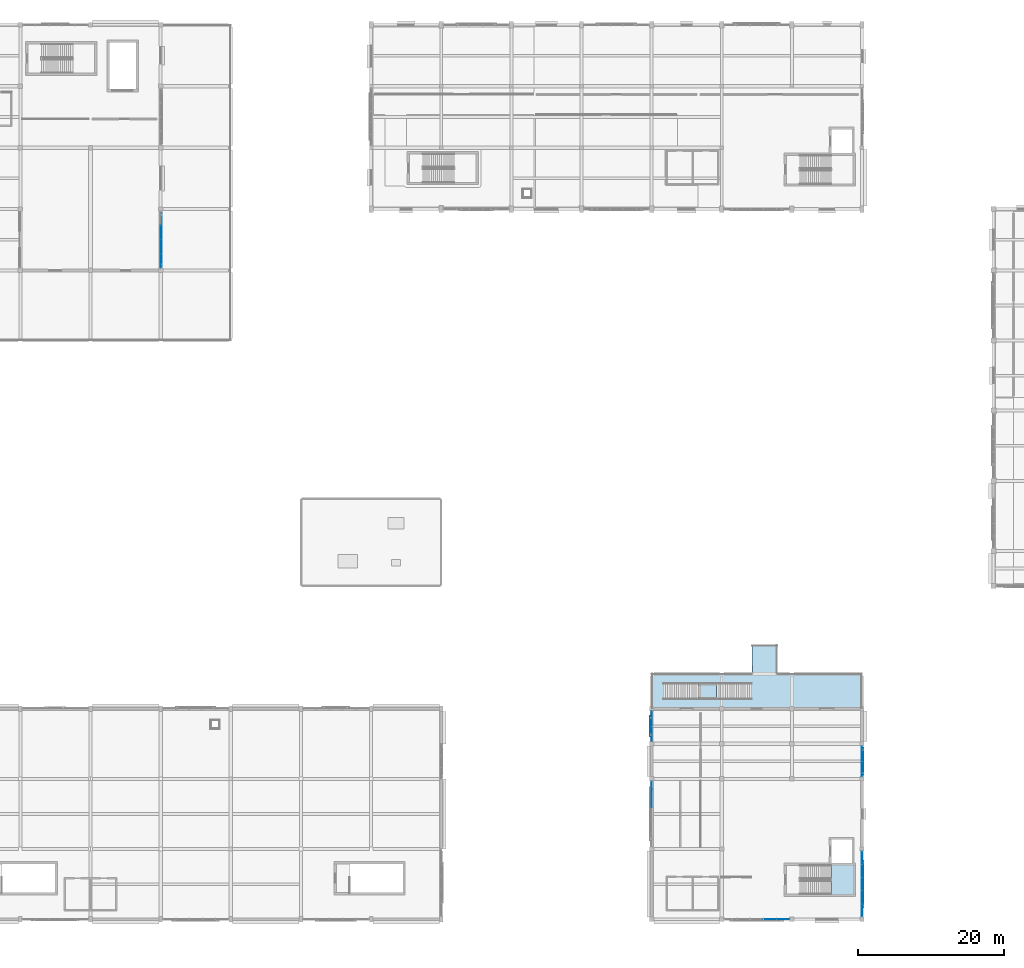
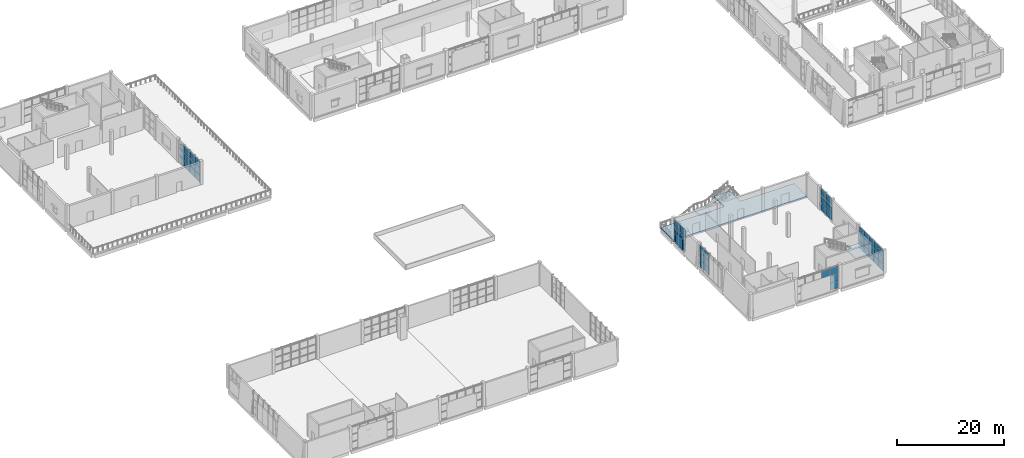
# One storey, part 37 of 72: 50 plates, 3 slabs, 8 elements without a shape of their own.
"""IFC4 building model written with IfcOpenShell, lengths in metres."""

from ifc_helpers import new_model, si_unit, direction, frame, origin, origin_2d, place, context, subcontext, project, spatial, polyline, rectangle, outline, extrude, material, layer, layer_set, type_object, element, aggregate, save


model = new_model("IFC4")

# Units and contexts
model_context = context("Model", 3, precision=1e-05, world=origin(), true_north=direction((0.0, 1.0)))
body_context = subcontext(model_context, "Body", "Model", "MODEL_VIEW")
ifc_project = project(units=[si_unit("LENGTHUNIT", "METRE"), si_unit("AREAUNIT", "SQUARE_METRE"), si_unit("VOLUMEUNIT", "CUBIC_METRE"), si_unit("PLANEANGLEUNIT", "RADIAN"), si_unit("MASSUNIT", "GRAM", prefix="KILO")], contexts=[model_context])

# Site, building, storey
site_placement = place(None, origin())
site = spatial("IfcSite", under=ifc_project, at=site_placement, CompositionType="ELEMENT")
building_placement = place(site_placement, origin())
building = spatial("IfcBuilding", under=site, at=building_placement, Name="Shalvenor Court Art Gallery", CompositionType="ELEMENT")
storey_placement = place(building_placement, frame((0.0, 0.0, 11.39990234375)))
storey = spatial("IfcBuildingStorey", under=building, at=storey_placement, Name="L02", CompositionType="ELEMENT", Elevation=11.39990234375)

# Curtain wall, plates
ifc_material_1 = material(Name="Anodised aluminium and low-iron glass curtain wall", Category="aluminium")
curtain_wall_type_1 = type_object("IfcCurtainWallType", Name="CW-4x3-78-51-611", PredefinedType="USERDEFINED", material=ifc_material_1)
curtain_wall_1_placement = place(storey_placement, origin())
curtain_wall_1 = element("IfcCurtainWall", 1, at=curtain_wall_1_placement, inside=storey, type_object=curtain_wall_type_1, Name="L02 V5 Curtain Wall CW-L02-183", ObjectType="CURTAIN WALL", PredefinedType="USERDEFINED")
ifc_material_2 = material(Name="Low-iron UV-laminated double glazing IGU", Category="glass")
ifc_layer_1 = layer(ifc_material_2, 0.028076171875, Name="Low-iron UV-laminated double glazing IGU")
ifc_layer_set_1 = layer_set([ifc_layer_1], Name="Low-iron UV-laminated double glazing IGU")
plate_type_1 = type_object("IfcPlateType", Name="CWP-01", PredefinedType="CURTAIN_PANEL", material=ifc_layer_set_1)
plate_1_placement = place(storey_placement, frame((28.800048828125, 93.97509765625, 0.06005859375), z_axis=(0.0, 0.0, 1.0), x_axis=(0.0, -1.0, 0.0)))
plate_1 = element("IfcPlate", 2, at=plate_1_placement, type_object=plate_type_1, Name="CW-4x3-78-51-611 panel 2.1", PredefinedType="CURTAIN_PANEL", context=body_context, shape_type="SweptSolid", body=[
    extrude(rectangle(XDim=1.89501953125, YDim=0.028076171875, at=origin_2d()), origin(), (0.0, 0.0, 1.0), 1.610107421875),
])
plate_2_placement = place(storey_placement, frame((28.800048828125, 93.97509765625, 1.72998046875), z_axis=(0.0, 0.0, 1.0), x_axis=(0.0, -1.0, 0.0)))
plate_2 = element("IfcPlate", 3, at=plate_2_placement, type_object=plate_type_1, Name="CW-4x3-78-51-611 panel 2.2", PredefinedType="CURTAIN_PANEL", context=body_context, shape_type="SweptSolid", body=[
    extrude(rectangle(XDim=1.89501953125, YDim=0.028076171875, at=origin_2d()), origin(), (0.0, 0.0, 1.0), 1.639892578125),
])
plate_3_placement = place(storey_placement, frame((28.800048828125, 93.97509765625, 3.43017578125), z_axis=(0.0, 0.0, 1.0), x_axis=(0.0, -1.0, 0.0)))
plate_3 = element("IfcPlate", 4, at=plate_3_placement, type_object=plate_type_1, Name="CW-4x3-78-51-611 panel 2.3", PredefinedType="CURTAIN_PANEL", context=body_context, shape_type="SweptSolid", body=[
    extrude(rectangle(XDim=1.89501953125, YDim=0.028076171875, at=origin_2d()), origin(), (0.0, 0.0, 1.0), 1.610107421875),
])
plate_4_placement = place(storey_placement, frame((28.800048828125, 92.02490234375, 0.06005859375), z_axis=(0.0, 0.0, 1.0), x_axis=(0.0, -1.0, 0.0)))
plate_4 = element("IfcPlate", 5, at=plate_4_placement, type_object=plate_type_1, Name="CW-4x3-78-51-611 panel 3.1", PredefinedType="CURTAIN_PANEL", context=body_context, shape_type="SweptSolid", body=[
    extrude(rectangle(XDim=1.89501953125, YDim=0.028076171875, at=origin_2d()), origin(), (0.0, 0.0, 1.0), 1.610107421875),
])
plate_5_placement = place(storey_placement, frame((28.800048828125, 92.02490234375, 1.72998046875), z_axis=(0.0, 0.0, 1.0), x_axis=(0.0, -1.0, 0.0)))
plate_5 = element("IfcPlate", 6, at=plate_5_placement, type_object=plate_type_1, Name="CW-4x3-78-51-611 panel 3.2", PredefinedType="CURTAIN_PANEL", context=body_context, shape_type="SweptSolid", body=[
    extrude(rectangle(XDim=1.89501953125, YDim=0.028076171875, at=origin_2d()), origin(), (0.0, 0.0, 1.0), 1.639892578125),
])
plate_6_placement = place(storey_placement, frame((28.800048828125, 92.02490234375, 3.43017578125), z_axis=(0.0, 0.0, 1.0), x_axis=(0.0, -1.0, 0.0)))
plate_6 = element("IfcPlate", 7, at=plate_6_placement, type_object=plate_type_1, Name="CW-4x3-78-51-611 panel 3.3", PredefinedType="CURTAIN_PANEL", context=body_context, shape_type="SweptSolid", body=[
    extrude(rectangle(XDim=1.89501953125, YDim=0.028076171875, at=origin_2d()), origin(), (0.0, 0.0, 1.0), 1.610107421875),
])
plate_7_placement = place(storey_placement, frame((28.800048828125, 90.0888671875, 0.06005859375), z_axis=(0.0, 0.0, 1.0), x_axis=(0.0, -1.0, 0.0)))
plate_7 = element("IfcPlate", 8, at=plate_7_placement, type_object=plate_type_1, Name="CW-4x3-78-51-611 panel 4.1", PredefinedType="CURTAIN_PANEL", context=body_context, shape_type="SweptSolid", body=[
    extrude(rectangle(XDim=1.867431640625, YDim=0.028076171875, at=origin_2d()), origin(), (0.0, 0.0, 1.0), 1.610107421875),
])
plate_8_placement = place(storey_placement, frame((28.800048828125, 90.0888671875, 1.72998046875), z_axis=(0.0, 0.0, 1.0), x_axis=(0.0, -1.0, 0.0)))
plate_8 = element("IfcPlate", 9, at=plate_8_placement, type_object=plate_type_1, Name="CW-4x3-78-51-611 panel 4.2", PredefinedType="CURTAIN_PANEL", context=body_context, shape_type="SweptSolid", body=[
    extrude(rectangle(XDim=1.867431640625, YDim=0.028076171875, at=origin_2d()), origin(), (0.0, 0.0, 1.0), 1.639892578125),
])
plate_9_placement = place(storey_placement, frame((28.800048828125, 90.0888671875, 3.43017578125), z_axis=(0.0, 0.0, 1.0), x_axis=(0.0, -1.0, 0.0)))
plate_9 = element("IfcPlate", 10, at=plate_9_placement, type_object=plate_type_1, Name="CW-4x3-78-51-611 panel 4.3", PredefinedType="CURTAIN_PANEL", context=body_context, shape_type="SweptSolid", body=[
    extrude(rectangle(XDim=1.867431640625, YDim=0.028076171875, at=origin_2d()), origin(), (0.0, 0.0, 1.0), 1.610107421875),
])
aggregate(curtain_wall_1, [plate_1, plate_2, plate_3, plate_4, plate_5, plate_6, plate_7, plate_8, plate_9])

ifc_material_3 = material(Name="Anodised aluminium and low-iron glass curtain wall", Category="aluminium")
curtain_wall_type_2 = type_object("IfcCurtainWallType", Name="CW-2x3-42-51-142", PredefinedType="USERDEFINED", material=ifc_material_3)
curtain_wall_2_placement = place(storey_placement, origin())
curtain_wall_2 = element("IfcCurtainWall", 11, at=curtain_wall_2_placement, inside=storey, type_object=curtain_wall_type_2, Name="L02 V3 Curtain Wall CW-L02-104", ObjectType="CURTAIN WALL", PredefinedType="USERDEFINED")
ifc_material_4 = material(Name="Low-iron triple-silver solar gallery glazing IGU", Category="glass")
ifc_layer_2 = layer(ifc_material_4, 0.031982421875, Name="Low-iron triple-silver solar gallery glazing IGU")
ifc_layer_set_2 = layer_set([ifc_layer_2], Name="Low-iron triple-silver solar gallery glazing IGU")
plate_type_2 = type_object("IfcPlateType", Name="CWP-02", PredefinedType="CURTAIN_PANEL", material=ifc_layer_set_2)
plate_10_placement = place(storey_placement, frame((124.800048828125, 22.6337890625, 0.0703125), z_axis=(0.0, 0.0, 1.0), x_axis=(0.0, -1.0, 0.0)))
plate_10 = element("IfcPlate", 12, at=plate_10_placement, type_object=plate_type_2, Name="CW-2x3-42-51-142 panel 1.1", PredefinedType="CURTAIN_PANEL", context=body_context, shape_type="SweptSolid", body=[
    extrude(rectangle(XDim=2.00244140625, YDim=0.031982421875, at=origin_2d()), origin(), (0.0, 0.0, 1.0), 1.594970703125),
])
plate_11_placement = place(storey_placement, frame((124.800048828125, 22.6337890625, 1.735107421875), z_axis=(0.0, 0.0, 1.0), x_axis=(0.0, -1.0, 0.0)))
plate_11 = element("IfcPlate", 13, at=plate_11_placement, type_object=plate_type_2, Name="CW-2x3-42-51-142 panel 1.2", PredefinedType="CURTAIN_PANEL", context=body_context, shape_type="SweptSolid", body=[
    extrude(rectangle(XDim=2.00244140625, YDim=0.031982421875, at=origin_2d()), origin(), (0.0, 0.0, 1.0), 1.6298828125),
])
plate_12_placement = place(storey_placement, frame((124.800048828125, 22.6337890625, 3.43505859375), z_axis=(0.0, 0.0, 1.0), x_axis=(0.0, -1.0, 0.0)))
plate_12 = element("IfcPlate", 14, at=plate_12_placement, type_object=plate_type_2, Name="CW-2x3-42-51-142 panel 1.3", PredefinedType="CURTAIN_PANEL", context=body_context, shape_type="SweptSolid", body=[
    extrude(rectangle(XDim=2.00244140625, YDim=0.031982421875, at=origin_2d()), origin(), (0.0, 0.0, 1.0), 1.594970703125),
])
plate_13_placement = place(storey_placement, frame((124.800048828125, 20.566162109375, 0.0703125), z_axis=(0.0, 0.0, 1.0), x_axis=(0.0, -1.0, 0.0)))
plate_13 = element("IfcPlate", 15, at=plate_13_placement, type_object=plate_type_2, Name="CW-2x3-42-51-142 panel 2.1", PredefinedType="CURTAIN_PANEL", context=body_context, shape_type="SweptSolid", body=[
    extrude(rectangle(XDim=2.00244140625, YDim=0.031982421875, at=origin_2d()), origin(), (0.0, 0.0, 1.0), 1.594970703125),
])
plate_14_placement = place(storey_placement, frame((124.800048828125, 20.566162109375, 1.735107421875), z_axis=(0.0, 0.0, 1.0), x_axis=(0.0, -1.0, 0.0)))
plate_14 = element("IfcPlate", 16, at=plate_14_placement, type_object=plate_type_2, Name="CW-2x3-42-51-142 panel 2.2", PredefinedType="CURTAIN_PANEL", context=body_context, shape_type="SweptSolid", body=[
    extrude(rectangle(XDim=2.00244140625, YDim=0.031982421875, at=origin_2d()), origin(), (0.0, 0.0, 1.0), 1.6298828125),
])
plate_15_placement = place(storey_placement, frame((124.800048828125, 20.566162109375, 3.43505859375), z_axis=(0.0, 0.0, 1.0), x_axis=(0.0, -1.0, 0.0)))
plate_15 = element("IfcPlate", 17, at=plate_15_placement, type_object=plate_type_2, Name="CW-2x3-42-51-142 panel 2.3", PredefinedType="CURTAIN_PANEL", context=body_context, shape_type="SweptSolid", body=[
    extrude(rectangle(XDim=2.00244140625, YDim=0.031982421875, at=origin_2d()), origin(), (0.0, 0.0, 1.0), 1.594970703125),
])
aggregate(curtain_wall_2, [plate_10, plate_11, plate_12, plate_13, plate_14, plate_15])

ifc_material_5 = material(Name="Anodised aluminium and low-iron glass curtain wall", Category="aluminium")
curtain_wall_type_3 = type_object("IfcCurtainWallType", Name="CW-5x3-90-51-212", PredefinedType="USERDEFINED", material=ifc_material_5)
curtain_wall_3_placement = place(storey_placement, origin())
curtain_wall_3 = element("IfcCurtainWall", 18, at=curtain_wall_3_placement, inside=storey, type_object=curtain_wall_type_3, Name="L02 V3 Curtain Wall CW-L02-105", ObjectType="CURTAIN WALL", PredefinedType="USERDEFINED")
plate_16_placement = place(storey_placement, frame((124.800048828125, 8.382568359375, 0.06005859375), z_axis=(0.0, 0.0, 1.0), x_axis=(0.0, -1.0, 0.0)))
plate_16 = element("IfcPlate", 19, at=plate_16_placement, type_object=plate_type_2, Name="CW-5x3-90-51-212 panel 1.1", PredefinedType="CURTAIN_PANEL", context=body_context, shape_type="SweptSolid", body=[
    extrude(rectangle(XDim=1.695068359375, YDim=0.031982421875, at=origin_2d()), origin(), (0.0, 0.0, 1.0), 1.610107421875),
])
plate_17_placement = place(storey_placement, frame((124.800048828125, 8.382568359375, 1.72998046875), z_axis=(0.0, 0.0, 1.0), x_axis=(0.0, -1.0, 0.0)))
plate_17 = element("IfcPlate", 20, at=plate_17_placement, type_object=plate_type_2, Name="CW-5x3-90-51-212 panel 1.2", PredefinedType="CURTAIN_PANEL", context=body_context, shape_type="SweptSolid", body=[
    extrude(rectangle(XDim=1.695068359375, YDim=0.031982421875, at=origin_2d()), origin(), (0.0, 0.0, 1.0), 1.639892578125),
])
plate_18_placement = place(storey_placement, frame((124.800048828125, 8.382568359375, 3.43017578125), z_axis=(0.0, 0.0, 1.0), x_axis=(0.0, -1.0, 0.0)))
plate_18 = element("IfcPlate", 21, at=plate_18_placement, type_object=plate_type_2, Name="CW-5x3-90-51-212 panel 1.3", PredefinedType="CURTAIN_PANEL", context=body_context, shape_type="SweptSolid", body=[
    extrude(rectangle(XDim=1.695068359375, YDim=0.031982421875, at=origin_2d()), origin(), (0.0, 0.0, 1.0), 1.610107421875),
])
plate_19_placement = place(storey_placement, frame((124.800048828125, 6.60009765625, 0.06005859375), z_axis=(0.0, 0.0, 1.0), x_axis=(0.0, -1.0, 0.0)))
plate_19 = element("IfcPlate", 22, at=plate_19_placement, type_object=plate_type_2, Name="CW-5x3-90-51-212 panel 2.1", PredefinedType="CURTAIN_PANEL", context=body_context, shape_type="SweptSolid", body=[
    extrude(rectangle(XDim=1.72998046875, YDim=0.031982421875, at=origin_2d()), origin(), (0.0, 0.0, 1.0), 1.610107421875),
])
plate_20_placement = place(storey_placement, frame((124.800048828125, 6.60009765625, 1.72998046875), z_axis=(0.0, 0.0, 1.0), x_axis=(0.0, -1.0, 0.0)))
plate_20 = element("IfcPlate", 23, at=plate_20_placement, type_object=plate_type_2, Name="CW-5x3-90-51-212 panel 2.2", PredefinedType="CURTAIN_PANEL", context=body_context, shape_type="SweptSolid", body=[
    extrude(rectangle(XDim=1.72998046875, YDim=0.031982421875, at=origin_2d()), origin(), (0.0, 0.0, 1.0), 1.639892578125),
])
plate_21_placement = place(storey_placement, frame((124.800048828125, 6.60009765625, 3.43017578125), z_axis=(0.0, 0.0, 1.0), x_axis=(0.0, -1.0, 0.0)))
plate_21 = element("IfcPlate", 24, at=plate_21_placement, type_object=plate_type_2, Name="CW-5x3-90-51-212 panel 2.3", PredefinedType="CURTAIN_PANEL", context=body_context, shape_type="SweptSolid", body=[
    extrude(rectangle(XDim=1.72998046875, YDim=0.031982421875, at=origin_2d()), origin(), (0.0, 0.0, 1.0), 1.610107421875),
])
plate_22_placement = place(storey_placement, frame((124.800048828125, 4.800048828125, 0.06005859375), z_axis=(0.0, 0.0, 1.0), x_axis=(0.0, -1.0, 0.0)))
plate_22 = element("IfcPlate", 25, at=plate_22_placement, type_object=plate_type_2, Name="CW-5x3-90-51-212 panel 3.1", PredefinedType="CURTAIN_PANEL", context=body_context, shape_type="SweptSolid", body=[
    extrude(rectangle(XDim=1.72998046875, YDim=0.031982421875, at=origin_2d()), origin(), (0.0, 0.0, 1.0), 1.610107421875),
])
plate_23_placement = place(storey_placement, frame((124.800048828125, 4.800048828125, 1.72998046875), z_axis=(0.0, 0.0, 1.0), x_axis=(0.0, -1.0, 0.0)))
plate_23 = element("IfcPlate", 26, at=plate_23_placement, type_object=plate_type_2, Name="CW-5x3-90-51-212 panel 3.2", PredefinedType="CURTAIN_PANEL", context=body_context, shape_type="SweptSolid", body=[
    extrude(rectangle(XDim=1.72998046875, YDim=0.031982421875, at=origin_2d()), origin(), (0.0, 0.0, 1.0), 1.639892578125),
])
plate_24_placement = place(storey_placement, frame((124.800048828125, 4.800048828125, 3.43017578125), z_axis=(0.0, 0.0, 1.0), x_axis=(0.0, -1.0, 0.0)))
plate_24 = element("IfcPlate", 27, at=plate_24_placement, type_object=plate_type_2, Name="CW-5x3-90-51-212 panel 3.3", PredefinedType="CURTAIN_PANEL", context=body_context, shape_type="SweptSolid", body=[
    extrude(rectangle(XDim=1.72998046875, YDim=0.031982421875, at=origin_2d()), origin(), (0.0, 0.0, 1.0), 1.610107421875),
])
plate_25_placement = place(storey_placement, frame((124.800048828125, 3.0, 0.06005859375), z_axis=(0.0, 0.0, 1.0), x_axis=(0.0, -1.0, 0.0)))
plate_25 = element("IfcPlate", 28, at=plate_25_placement, type_object=plate_type_2, Name="CW-5x3-90-51-212 panel 4.1", PredefinedType="CURTAIN_PANEL", context=body_context, shape_type="SweptSolid", body=[
    extrude(rectangle(XDim=1.72998046875, YDim=0.031982421875, at=origin_2d()), origin(), (0.0, 0.0, 1.0), 1.610107421875),
])
plate_26_placement = place(storey_placement, frame((124.800048828125, 3.0, 1.72998046875), z_axis=(0.0, 0.0, 1.0), x_axis=(0.0, -1.0, 0.0)))
plate_26 = element("IfcPlate", 29, at=plate_26_placement, type_object=plate_type_2, Name="CW-5x3-90-51-212 panel 4.2", PredefinedType="CURTAIN_PANEL", context=body_context, shape_type="SweptSolid", body=[
    extrude(rectangle(XDim=1.72998046875, YDim=0.031982421875, at=origin_2d()), origin(), (0.0, 0.0, 1.0), 1.639892578125),
])
plate_27_placement = place(storey_placement, frame((124.800048828125, 3.0, 3.43017578125), z_axis=(0.0, 0.0, 1.0), x_axis=(0.0, -1.0, 0.0)))
plate_27 = element("IfcPlate", 30, at=plate_27_placement, type_object=plate_type_2, Name="CW-5x3-90-51-212 panel 4.3", PredefinedType="CURTAIN_PANEL", context=body_context, shape_type="SweptSolid", body=[
    extrude(rectangle(XDim=1.72998046875, YDim=0.031982421875, at=origin_2d()), origin(), (0.0, 0.0, 1.0), 1.610107421875),
])
plate_28_placement = place(storey_placement, frame((124.800048828125, 1.217529296875, 0.06005859375), z_axis=(0.0, 0.0, 1.0), x_axis=(0.0, -1.0, 0.0)))
plate_28 = element("IfcPlate", 31, at=plate_28_placement, type_object=plate_type_2, Name="CW-5x3-90-51-212 panel 5.1", PredefinedType="CURTAIN_PANEL", context=body_context, shape_type="SweptSolid", body=[
    extrude(rectangle(XDim=1.695068359375, YDim=0.031982421875, at=origin_2d()), origin(), (0.0, 0.0, 1.0), 1.610107421875),
])
plate_29_placement = place(storey_placement, frame((124.800048828125, 1.217529296875, 1.72998046875), z_axis=(0.0, 0.0, 1.0), x_axis=(0.0, -1.0, 0.0)))
plate_29 = element("IfcPlate", 32, at=plate_29_placement, type_object=plate_type_2, Name="CW-5x3-90-51-212 panel 5.2", PredefinedType="CURTAIN_PANEL", context=body_context, shape_type="SweptSolid", body=[
    extrude(rectangle(XDim=1.695068359375, YDim=0.031982421875, at=origin_2d()), origin(), (0.0, 0.0, 1.0), 1.639892578125),
])
plate_30_placement = place(storey_placement, frame((124.800048828125, 1.217529296875, 3.43017578125), z_axis=(0.0, 0.0, 1.0), x_axis=(0.0, -1.0, 0.0)))
plate_30 = element("IfcPlate", 33, at=plate_30_placement, type_object=plate_type_2, Name="CW-5x3-90-51-212 panel 5.3", PredefinedType="CURTAIN_PANEL", context=body_context, shape_type="SweptSolid", body=[
    extrude(rectangle(XDim=1.695068359375, YDim=0.031982421875, at=origin_2d()), origin(), (0.0, 0.0, 1.0), 1.610107421875),
])
aggregate(curtain_wall_3, [plate_16, plate_17, plate_18, plate_19, plate_20, plate_21, plate_22, plate_23, plate_24, plate_25, plate_26, plate_27, plate_28, plate_29, plate_30])

ifc_material_6 = material(Name="Anodised aluminium and low-iron glass curtain wall", Category="aluminium")
curtain_wall_type_4 = type_object("IfcCurtainWallType", Name="CW-5x3-90-51-422", PredefinedType="USERDEFINED", material=ifc_material_6)
curtain_wall_4_placement = place(storey_placement, origin())
curtain_wall_4 = element("IfcCurtainWall", 34, at=curtain_wall_4_placement, inside=storey, type_object=curtain_wall_type_4, Name="L02 V3 Curtain Wall CW-L02-106", ObjectType="CURTAIN WALL", PredefinedType="USERDEFINED")
plate_31_placement = place(storey_placement, frame((113.981201171875, 0.0, 0.065185546875), z_axis=(0.0, 0.0, 1.0), x_axis=(-1.0, 0.0, 0.0)))
plate_31 = element("IfcPlate", 35, at=plate_31_placement, type_object=plate_type_2, Name="CW-5x3-90-51-422 panel 1.1", PredefinedType="CURTAIN_PANEL", context=body_context, shape_type="SweptSolid", body=[
    extrude(rectangle(XDim=1.6875, YDim=0.031982421875, at=origin_2d()), origin(), (0.0, 0.0, 1.0), 1.6025390625),
])
plate_32_placement = place(storey_placement, frame((113.981201171875, 0.0, 1.732421875), z_axis=(0.0, 0.0, 1.0), x_axis=(-1.0, 0.0, 0.0)))
plate_32 = element("IfcPlate", 36, at=plate_32_placement, type_object=plate_type_2, Name="CW-5x3-90-51-422 panel 1.2", PredefinedType="CURTAIN_PANEL", context=body_context, shape_type="SweptSolid", body=[
    extrude(rectangle(XDim=1.6875, YDim=0.031982421875, at=origin_2d()), origin(), (0.0, 0.0, 1.0), 1.635009765625),
])
plate_33_placement = place(storey_placement, frame((113.981201171875, 0.0, 3.4326171875), z_axis=(0.0, 0.0, 1.0), x_axis=(-1.0, 0.0, 0.0)))
plate_33 = element("IfcPlate", 37, at=plate_33_placement, type_object=plate_type_2, Name="CW-5x3-90-51-422 panel 1.3", PredefinedType="CURTAIN_PANEL", context=body_context, shape_type="SweptSolid", body=[
    extrude(rectangle(XDim=1.6875, YDim=0.031982421875, at=origin_2d()), origin(), (0.0, 0.0, 1.0), 1.6025390625),
])
plate_34_placement = place(storey_placement, frame((112.199951171875, 0.0, 3.4326171875), z_axis=(0.0, 0.0, 1.0), x_axis=(-1.0, 0.0, 0.0)))
plate_34 = element("IfcPlate", 38, at=plate_34_placement, type_object=plate_type_2, Name="CW-5x3-90-51-422 panel 2.3", PredefinedType="CURTAIN_PANEL", context=body_context, shape_type="SweptSolid", body=[
    extrude(rectangle(XDim=1.72509765625, YDim=0.031982421875, at=origin_2d()), origin(), (0.0, 0.0, 1.0), 1.6025390625),
])
aggregate(curtain_wall_4, [plate_31, plate_32, plate_33, plate_34])

ifc_material_7 = material(Name="Anodised aluminium and low-iron glass curtain wall", Category="aluminium")
curtain_wall_type_5 = type_object("IfcCurtainWallType", Name="CW-5x3-90-51-642", PredefinedType="USERDEFINED", material=ifc_material_7)
curtain_wall_5_placement = place(storey_placement, origin())
curtain_wall_5 = element("IfcCurtainWall", 39, at=curtain_wall_5_placement, inside=storey, type_object=curtain_wall_type_5, Name="L02 V3 Curtain Wall CW-L02-107", ObjectType="CURTAIN WALL", PredefinedType="USERDEFINED")
plate_35_placement = place(storey_placement, frame((96.0, 16.199951171875, 0.0703125), z_axis=(0.0, 0.0, 1.0), x_axis=(0.0, 1.0, 0.0)))
plate_35 = element("IfcPlate", 40, at=plate_35_placement, type_object=plate_type_2, Name="CW-5x3-90-51-642 panel 4.1", PredefinedType="CURTAIN_PANEL", context=body_context, shape_type="SweptSolid", body=[
    extrude(rectangle(XDim=1.7451171875, YDim=0.031982421875, at=origin_2d()), origin(), (0.0, 0.0, 1.0), 1.594970703125),
])
plate_36_placement = place(storey_placement, frame((96.0, 16.199951171875, 1.735107421875), z_axis=(0.0, 0.0, 1.0), x_axis=(0.0, 1.0, 0.0)))
plate_36 = element("IfcPlate", 41, at=plate_36_placement, type_object=plate_type_2, Name="CW-5x3-90-51-642 panel 4.2", PredefinedType="CURTAIN_PANEL", context=body_context, shape_type="SweptSolid", body=[
    extrude(rectangle(XDim=1.7451171875, YDim=0.031982421875, at=origin_2d()), origin(), (0.0, 0.0, 1.0), 1.6298828125),
])
plate_37_placement = place(storey_placement, frame((96.0, 16.199951171875, 3.43505859375), z_axis=(0.0, 0.0, 1.0), x_axis=(0.0, 1.0, 0.0)))
plate_37 = element("IfcPlate", 42, at=plate_37_placement, type_object=plate_type_2, Name="CW-5x3-90-51-642 panel 4.3", PredefinedType="CURTAIN_PANEL", context=body_context, shape_type="SweptSolid", body=[
    extrude(rectangle(XDim=1.7451171875, YDim=0.031982421875, at=origin_2d()), origin(), (0.0, 0.0, 1.0), 1.594970703125),
])
plate_38_placement = place(storey_placement, frame((96.0, 17.986328125, 0.0703125), z_axis=(0.0, 0.0, 1.0), x_axis=(0.0, 1.0, 0.0)))
plate_38 = element("IfcPlate", 43, at=plate_38_placement, type_object=plate_type_2, Name="CW-5x3-90-51-642 panel 5.1", PredefinedType="CURTAIN_PANEL", context=body_context, shape_type="SweptSolid", body=[
    extrude(rectangle(XDim=1.717529296875, YDim=0.031982421875, at=origin_2d()), origin(), (0.0, 0.0, 1.0), 1.594970703125),
])
plate_39_placement = place(storey_placement, frame((96.0, 17.986328125, 1.735107421875), z_axis=(0.0, 0.0, 1.0), x_axis=(0.0, 1.0, 0.0)))
plate_39 = element("IfcPlate", 44, at=plate_39_placement, type_object=plate_type_2, Name="CW-5x3-90-51-642 panel 5.2", PredefinedType="CURTAIN_PANEL", context=body_context, shape_type="SweptSolid", body=[
    extrude(rectangle(XDim=1.717529296875, YDim=0.031982421875, at=origin_2d()), origin(), (0.0, 0.0, 1.0), 1.6298828125),
])
plate_40_placement = place(storey_placement, frame((96.0, 17.986328125, 3.43505859375), z_axis=(0.0, 0.0, 1.0), x_axis=(0.0, 1.0, 0.0)))
plate_40 = element("IfcPlate", 45, at=plate_40_placement, type_object=plate_type_2, Name="CW-5x3-90-51-642 panel 5.3", PredefinedType="CURTAIN_PANEL", context=body_context, shape_type="SweptSolid", body=[
    extrude(rectangle(XDim=1.717529296875, YDim=0.031982421875, at=origin_2d()), origin(), (0.0, 0.0, 1.0), 1.594970703125),
])
aggregate(curtain_wall_5, [plate_35, plate_36, plate_37, plate_38, plate_39, plate_40])

ifc_material_8 = material(Name="Anodised aluminium and low-iron glass curtain wall", Category="aluminium")
curtain_wall_type_6 = type_object("IfcCurtainWallType", Name="CW-2x3-42-51-112", PredefinedType="USERDEFINED", material=ifc_material_8)
curtain_wall_6_placement = place(storey_placement, origin())
curtain_wall_6 = element("IfcCurtainWall", 46, at=curtain_wall_6_placement, inside=storey, type_object=curtain_wall_type_6, Name="L02 V3 Curtain Wall CW-L02-108", ObjectType="CURTAIN WALL", PredefinedType="USERDEFINED")
plate_41_placement = place(storey_placement, frame((96.0, 25.3662109375, 0.06005859375), z_axis=(0.0, 0.0, 1.0), x_axis=(0.0, 1.0, 0.0)))
plate_41 = element("IfcPlate", 47, at=plate_41_placement, type_object=plate_type_2, Name="CW-2x3-42-51-112 panel 1.1", PredefinedType="CURTAIN_PANEL", context=body_context, shape_type="SweptSolid", body=[
    extrude(rectangle(XDim=2.00244140625, YDim=0.031982421875, at=origin_2d()), origin(), (0.0, 0.0, 1.0), 1.610107421875),
])
plate_42_placement = place(storey_placement, frame((96.0, 25.3662109375, 1.72998046875), z_axis=(0.0, 0.0, 1.0), x_axis=(0.0, 1.0, 0.0)))
plate_42 = element("IfcPlate", 48, at=plate_42_placement, type_object=plate_type_2, Name="CW-2x3-42-51-112 panel 1.2", PredefinedType="CURTAIN_PANEL", context=body_context, shape_type="SweptSolid", body=[
    extrude(rectangle(XDim=2.00244140625, YDim=0.031982421875, at=origin_2d()), origin(), (0.0, 0.0, 1.0), 1.639892578125),
])
plate_43_placement = place(storey_placement, frame((96.0, 25.3662109375, 3.43017578125), z_axis=(0.0, 0.0, 1.0), x_axis=(0.0, 1.0, 0.0)))
plate_43 = element("IfcPlate", 49, at=plate_43_placement, type_object=plate_type_2, Name="CW-2x3-42-51-112 panel 1.3", PredefinedType="CURTAIN_PANEL", context=body_context, shape_type="SweptSolid", body=[
    extrude(rectangle(XDim=2.00244140625, YDim=0.031982421875, at=origin_2d()), origin(), (0.0, 0.0, 1.0), 1.610107421875),
])
plate_44_placement = place(storey_placement, frame((96.0, 27.433837890625, 0.06005859375), z_axis=(0.0, 0.0, 1.0), x_axis=(0.0, 1.0, 0.0)))
plate_44 = element("IfcPlate", 50, at=plate_44_placement, type_object=plate_type_2, Name="CW-2x3-42-51-112 panel 2.1", PredefinedType="CURTAIN_PANEL", context=body_context, shape_type="SweptSolid", body=[
    extrude(rectangle(XDim=2.00244140625, YDim=0.031982421875, at=origin_2d()), origin(), (0.0, 0.0, 1.0), 1.610107421875),
])
plate_45_placement = place(storey_placement, frame((96.0, 27.433837890625, 1.72998046875), z_axis=(0.0, 0.0, 1.0), x_axis=(0.0, 1.0, 0.0)))
plate_45 = element("IfcPlate", 51, at=plate_45_placement, type_object=plate_type_2, Name="CW-2x3-42-51-112 panel 2.2", PredefinedType="CURTAIN_PANEL", context=body_context, shape_type="SweptSolid", body=[
    extrude(rectangle(XDim=2.00244140625, YDim=0.031982421875, at=origin_2d()), origin(), (0.0, 0.0, 1.0), 1.639892578125),
])
plate_46_placement = place(storey_placement, frame((96.0, 27.433837890625, 3.43017578125), z_axis=(0.0, 0.0, 1.0), x_axis=(0.0, 1.0, 0.0)))
plate_46 = element("IfcPlate", 52, at=plate_46_placement, type_object=plate_type_2, Name="CW-2x3-42-51-112 panel 2.3", PredefinedType="CURTAIN_PANEL", context=body_context, shape_type="SweptSolid", body=[
    extrude(rectangle(XDim=2.00244140625, YDim=0.031982421875, at=origin_2d()), origin(), (0.0, 0.0, 1.0), 1.610107421875),
])
aggregate(curtain_wall_6, [plate_41, plate_42, plate_43, plate_44, plate_45, plate_46])

# Plates
ifc_material_9 = material(Name="Perforated pale limestone GRC lattice", Category="masonry")
ifc_layer_3 = layer(ifc_material_9, 0.090087890625, Name="Perforated pale limestone GRC lattice")
ifc_layer_set_3 = layer_set([ifc_layer_3], Name="Perforated pale limestone GRC lattice")
plate_type_3 = type_object("IfcPlateType", Name="SCR-06", PredefinedType="USERDEFINED", material=ifc_layer_set_3)
plate_47_placement = place(storey_placement, frame((124.943115234375, 4.800048828125, 0.0), z_axis=(0.0, 0.0, 1.0), x_axis=(0.0, -1.0, 0.0)))
element("IfcPlate", 53, at=plate_47_placement, inside=storey, type_object=plate_type_3, Name="L02 V3 Perforated Stone Lattice Screen PLT-SCR-0090", ObjectType="SCREEN", PredefinedType="USERDEFINED", context=body_context, shape_type="SweptSolid", body=[
    extrude(rectangle(XDim=6.300048828125, YDim=0.090087890625, at=origin_2d()), origin(), (0.0, 0.0, 1.0), 4.5),
])
ifc_material_10 = material(Name="Perforated pale limestone GRC lattice", Category="masonry")
ifc_layer_4 = layer(ifc_material_10, 0.090087890625, Name="Perforated pale limestone GRC lattice")
ifc_layer_set_4 = layer_set([ifc_layer_4], Name="Perforated pale limestone GRC lattice")
plate_type_4 = type_object("IfcPlateType", Name="SCR-08", PredefinedType="USERDEFINED", material=ifc_layer_set_4)
plate_48_placement = place(storey_placement, frame((28.9130859375, 93.0, 0.0), z_axis=(0.0, 0.0, 1.0), x_axis=(0.0, -1.0, 0.0)))
element("IfcPlate", 54, at=plate_48_placement, inside=storey, type_object=plate_type_4, Name="L02 V5 Perforated Stone Lattice Screen PLT-SCR-0152", ObjectType="SCREEN", PredefinedType="USERDEFINED", context=body_context, shape_type="SweptSolid", body=[
    extrude(rectangle(XDim=7.199951171875, YDim=0.090087890625, at=origin_2d()), origin(), (0.0, 0.0, 1.0), 4.5),
])
ifc_material_11 = material(Name="Perforated pale limestone GRC lattice", Category="masonry")
ifc_layer_5 = layer(ifc_material_11, 0.090087890625, Name="Perforated pale limestone GRC lattice")
ifc_layer_set_5 = layer_set([ifc_layer_5], Name="Perforated pale limestone GRC lattice")
plate_type_5 = type_object("IfcPlateType", Name="SCR-10", PredefinedType="USERDEFINED", material=ifc_layer_set_5)
plate_49_placement = place(storey_placement, frame((124.93310546875, 21.60009765625, 0.0), z_axis=(0.0, 0.0, 1.0), x_axis=(0.0, -1.0, 0.0)))
element("IfcPlate", 55, at=plate_49_placement, inside=storey, type_object=plate_type_5, Name="L02 V3 Perforated Stone Lattice Screen PLT-SCR-0089", ObjectType="SCREEN", PredefinedType="USERDEFINED", context=body_context, shape_type="SweptSolid", body=[
    extrude(rectangle(XDim=3.60009765625, YDim=0.090087890625, at=origin_2d()), origin(), (0.0, 0.0, 1.0), 2.699951171875),
])
ifc_material_12 = material(Name="Perforated pale limestone GRC lattice", Category="masonry")
ifc_layer_6 = layer(ifc_material_12, 0.0849609375, Name="Perforated pale limestone GRC lattice")
ifc_layer_set_6 = layer_set([ifc_layer_6], Name="Perforated pale limestone GRC lattice")
plate_type_6 = type_object("IfcPlateType", Name="SCR-13", PredefinedType="USERDEFINED", material=ifc_layer_set_6)
plate_50_placement = place(storey_placement, frame((95.869384765625, 26.39990234375, 0.0), z_axis=(0.0, 0.0, 1.0), x_axis=(0.0, 1.0, 0.0)))
element("IfcPlate", 56, at=plate_50_placement, inside=storey, type_object=plate_type_6, Name="L02 V3 Perforated Stone Lattice Screen PLT-SCR-0093", ObjectType="SCREEN", PredefinedType="USERDEFINED", context=body_context, shape_type="SweptSolid", body=[
    extrude(rectangle(XDim=2.699951171875, YDim=0.0849609375, at=origin_2d()), origin(), (0.0, 0.0, 1.0), 2.699951171875),
])

# Stair, slab
ifc_material_13 = material(Name="Concrete C40/50", Category="concrete")
stair_type_1 = type_object("IfcStairType", Name="ST-T4-TP", PredefinedType="STRAIGHT_RUN_STAIR", material=ifc_material_13)
stair_1_placement = place(storey_placement, origin())
stair_1 = element("IfcStair", 57, at=stair_1_placement, inside=storey, type_object=stair_type_1, Name="Sculpture Terrace Stair 4", PredefinedType="STRAIGHT_RUN_STAIR")
ifc_material_14 = material(Name="Concrete C40/50", Category="concrete")
ifc_layer_7 = layer(ifc_material_14, 0.219970703125, Name="Concrete C40/50")
ifc_layer_set_7 = layer_set([ifc_layer_7], Name="Concrete C40/50")
slab_type_1 = type_object("IfcSlabType", Name="SLD-220", PredefinedType="LANDING", material=ifc_layer_set_7)
slab_1_placement = place(storey_placement, frame((0.0, 0.0, 2.47998046875)))
slab_1 = element("IfcSlab", 58, at=slab_1_placement, type_object=slab_type_1, Name="ST-T4-TP landing 1", PredefinedType="LANDING", context=body_context, shape_type="SweptSolid", body=[
    extrude(outline(polyline([(102.39990234375, 30.10009765625), (104.89990234375, 30.10009765625), (104.89990234375, 32.300048828125), (102.39990234375, 32.300048828125), (102.39990234375, 30.10009765625)])), origin(), (0.0, 0.0, 1.0), 0.22021484375),
])
aggregate(stair_1, [slab_1])

ifc_material_15 = material(Name="Concrete C40/50", Category="concrete")
stair_type_2 = type_object("IfcStairType", Name="ST-DL-32R-1900", PredefinedType="HALF_TURN_STAIR", material=ifc_material_15)
stair_2_placement = place(storey_placement, origin())
stair_2 = element("IfcStair", 59, at=stair_2_placement, inside=storey, type_object=stair_type_2, Name="L02 Core Dogleg Stair ST-04", PredefinedType="HALF_TURN_STAIR")
ifc_material_16 = material(Name="Concrete C40/50", Category="concrete")
ifc_layer_8 = layer(ifc_material_16, 0.300048828125, Name="Concrete C40/50")
ifc_layer_set_8 = layer_set([ifc_layer_8], Name="Concrete C40/50")
slab_type_2 = type_object("IfcSlabType", Name="SLD-300", PredefinedType="LANDING", material=ifc_layer_set_8)
slab_2_placement = place(storey_placement, frame((0.0, 0.0, 2.400146484375)))
slab_2 = element("IfcSlab", 60, at=slab_2_placement, type_object=slab_type_2, Name="ST-DL-32R-1900 landing 1", PredefinedType="LANDING", context=body_context, shape_type="SweptSolid", body=[
    extrude(outline(polyline([(120.574951171875, 3.39990234375), (123.60009765625, 3.39990234375), (123.60009765625, 7.39990234375), (120.574951171875, 7.39990234375), (120.574951171875, 3.39990234375)])), origin(), (0.0, 0.0, 1.0), 0.300048828125),
])
aggregate(stair_2, [slab_2])

# Slab
ifc_material_17 = material(Name="Concrete C40/50", Category="concrete")
ifc_layer_9 = layer(ifc_material_17, 0.419921875, Name="Concrete C40/50")
ifc_layer_set_9 = layer_set([ifc_layer_9], Name="Concrete C40/50")
slab_type_3 = type_object("IfcSlabType", Name="TS-420", PredefinedType="FLOOR", material=ifc_layer_set_9)
slab_3_placement = place(storey_placement, frame((0.0, 0.0, -0.419921875)))
element("IfcSlab", 61, at=slab_3_placement, inside=storey, type_object=slab_type_3, Name="L02 V3 Outdoor Sculpture Terrace", PredefinedType="FLOOR", context=body_context, shape_type="SweptSolid", body=[
    extrude(outline(polyline([(124.800048828125, 33.60009765625), (124.800048828125, 28.800048828125), (113.199951171875, 28.800048828125), (109.75, 28.800048828125), (96.0, 28.800048828125), (96.0, 33.60009765625), (109.75, 33.60009765625), (109.75, 37.5), (113.199951171875, 37.5), (113.199951171875, 33.60009765625), (124.800048828125, 33.60009765625)])), origin(), (0.0, 0.0, 1.0), 0.419921875),
])

save(model, "model.ifc")
